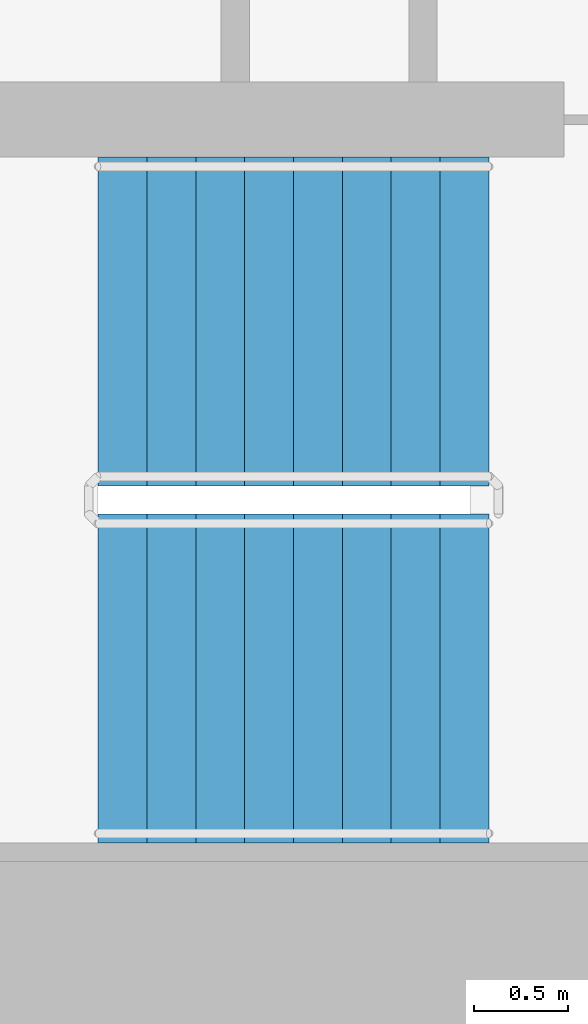
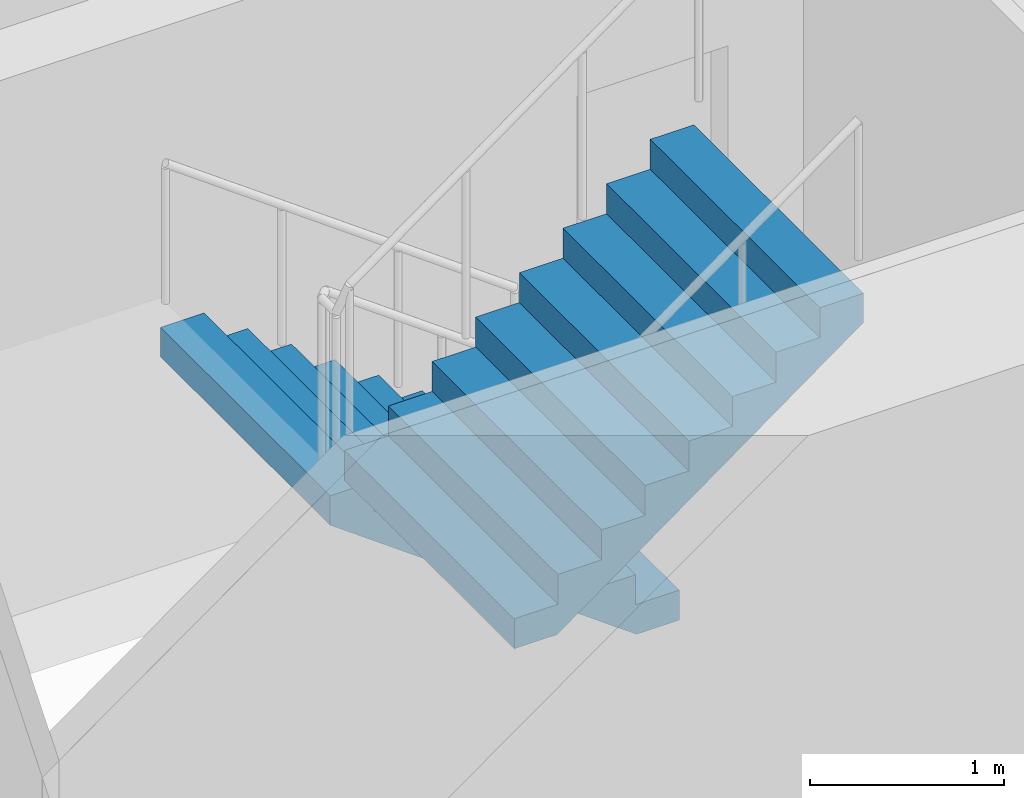
# One storey, part 17 of 22: 2 stair flights, 1 element without a shape of its own.
"""IFC4 building model written with IfcOpenShell, lengths in metres."""

from ifc_helpers import new_model, si_unit, direction, frame, origin, place, context, subcontext, project, spatial, faceted_brep, material, type_object, element, aggregate, save


model = new_model("IFC4")

# Units and contexts
model_context = context("Model", 3, precision=1e-05, world=origin(), true_north=direction((0.0, 1.0)))
body_context = subcontext(model_context, "Body", "Model", "MODEL_VIEW")
ifc_project = project(units=[si_unit("LENGTHUNIT", "METRE"), si_unit("AREAUNIT", "SQUARE_METRE"), si_unit("VOLUMEUNIT", "CUBIC_METRE"), si_unit("PLANEANGLEUNIT", "RADIAN"), si_unit("MASSUNIT", "GRAM", prefix="KILO")], contexts=[model_context])

# Site, building, storey
site_placement = place(None, origin())
site = spatial("IfcSite", under=ifc_project, at=site_placement, CompositionType="ELEMENT")
building_placement = place(site_placement, origin())
building = spatial("IfcBuilding", under=site, at=building_placement, Name="Ipe Terrace Towers", CompositionType="ELEMENT")
storey_placement = place(building_placement, frame((0.0, 0.0, 55.10009765625)))
storey = spatial("IfcBuildingStorey", under=building, at=storey_placement, Name="L14", CompositionType="ELEMENT", Elevation=55.10009765625)

# Stair, stair flights
ifc_material_1 = material(Name="Concrete C30/37", Category="concrete")
stair_type = type_object("IfcStairType", Name="Protected exit stair", PredefinedType="HALF_TURN_STAIR", material=ifc_material_1)
stair_placement = place(storey_placement, origin())
stair = element("IfcStair", 1, at=stair_placement, inside=storey, type_object=stair_type, Name="L14 Exit stair T1-C2", PredefinedType="HALF_TURN_STAIR")
ifc_material_2 = material(Name="Concrete C30/37", Category="concrete")
stair_flight_type = type_object("IfcStairFlightType", Name="Exit stair flight 1750", PredefinedType="STRAIGHT", material=ifc_material_2)
stair_flight_1_placement = place(storey_placement, frame((-45.699951171875, -2.77490234375, 0.0), z_axis=(0.0, 0.0, 1.0), x_axis=(-1.0, 0.0, 0.0)))
stair_flight_1 = element("IfcStairFlight", 2, at=stair_flight_1_placement, type_object=stair_flight_type, Name="T1-ST2 flight 1", NumberOfRisers=9, NumberOfTreads=8, PredefinedType="STRAIGHT", RiserHeight=0.188888889, TreadLength=0.26, context=body_context, shape_type="Brep", body=[
    faceted_brep([(0.255126953125, -0.875, 0.0), (2.080078125, -0.875, 1.325927734375), (2.080078125, -0.875, 1.51123046875), (1.820068359375, -0.875, 1.51123046875), (1.820068359375, -0.875, 1.322265625), (1.56005859375, -0.875, 1.322265625), (1.56005859375, -0.875, 1.13330078125), (1.300048828125, -0.875, 1.13330078125), (1.300048828125, -0.875, 0.9443359375), (1.0400390625, -0.875, 0.9443359375), (1.0400390625, -0.875, 0.755615234375), (0.780029296875, -0.875, 0.755615234375), (0.780029296875, -0.875, 0.566650390625), (0.52001953125, -0.875, 0.566650390625), (0.52001953125, -0.875, 0.377685546875), (0.260009765625, -0.875, 0.377685546875), (0.260009765625, -0.875, 0.18896484375), (0.0, -0.875, 0.18896484375), (0.0, -0.875, 0.0), (0.0, 0.875, 0.0), (0.0, 0.875, 0.18896484375), (0.260009765625, 0.875, 0.18896484375), (0.260009765625, 0.875, 0.377685546875), (0.52001953125, 0.875, 0.377685546875), (0.52001953125, 0.875, 0.566650390625), (0.780029296875, 0.875, 0.566650390625), (0.780029296875, 0.875, 0.755615234375), (1.0400390625, 0.875, 0.755615234375), (1.0400390625, 0.875, 0.9443359375), (1.300048828125, 0.875, 0.9443359375), (1.300048828125, 0.875, 1.13330078125), (1.56005859375, 0.875, 1.13330078125), (1.56005859375, 0.875, 1.322265625), (1.820068359375, 0.875, 1.322265625), (1.820068359375, 0.875, 1.51123046875), (2.080078125, 0.875, 1.51123046875), (2.080078125, 0.875, 1.325927734375), (0.255126953125, 0.875, 0.0), (0.0, -0.300048828125, 0.18896484375), (0.0, -0.1201171875, 0.18896484375), (0.0, -0.06005859375, 0.18896484375), (0.0, -0.030029296875, 0.18896484375), (0.0, -0.010009765625, 0.18896484375), (0.0, 0.0, 0.18896484375), (0.0, 0.010009765625, 0.18896484375), (0.0, 0.030029296875, 0.18896484375), (0.0, 0.06005859375, 0.18896484375), (0.0, 0.1201171875, 0.18896484375), (0.0, 0.300048828125, 0.18896484375), (0.0, 0.300048828125, 0.0), (0.0, 0.1201171875, 0.0), (0.0, 0.06005859375, 0.0), (0.0, 0.030029296875, 0.0), (0.0, 0.010009765625, 0.0), (0.0, 0.0, 0.0), (0.0, -0.010009765625, 0.0), (0.0, -0.030029296875, 0.0), (0.0, -0.06005859375, 0.0), (0.0, -0.1201171875, 0.0), (0.0, -0.300048828125, 0.0), (0.260009765625, -0.300048828125, 0.18896484375), (0.260009765625, -0.1201171875, 0.18896484375), (0.260009765625, -0.06005859375, 0.18896484375), (0.260009765625, -0.030029296875, 0.18896484375), (0.260009765625, -0.010009765625, 0.18896484375), (0.260009765625, 0.0, 0.18896484375), (0.260009765625, 0.010009765625, 0.18896484375), (0.260009765625, 0.030029296875, 0.18896484375), (0.260009765625, 0.06005859375, 0.18896484375), (0.260009765625, 0.1201171875, 0.18896484375), (0.260009765625, 0.300048828125, 0.18896484375), (0.260009765625, -0.300048828125, 0.377685546875), (0.260009765625, -0.1201171875, 0.377685546875), (0.260009765625, -0.06005859375, 0.377685546875), (0.260009765625, -0.030029296875, 0.377685546875), (0.260009765625, -0.010009765625, 0.377685546875), (0.260009765625, 0.0, 0.377685546875), (0.260009765625, 0.010009765625, 0.377685546875), (0.260009765625, 0.030029296875, 0.377685546875), (0.260009765625, 0.06005859375, 0.377685546875), (0.260009765625, 0.1201171875, 0.377685546875), (0.260009765625, 0.300048828125, 0.377685546875), (0.52001953125, -0.300048828125, 0.377685546875), (0.52001953125, -0.1201171875, 0.377685546875), (0.52001953125, -0.06005859375, 0.377685546875), (0.52001953125, -0.030029296875, 0.377685546875), (0.52001953125, -0.010009765625, 0.377685546875), (0.52001953125, 0.0, 0.377685546875), (0.52001953125, 0.010009765625, 0.377685546875), (0.52001953125, 0.030029296875, 0.377685546875), (0.52001953125, 0.06005859375, 0.377685546875), (0.52001953125, 0.1201171875, 0.377685546875), (0.52001953125, 0.300048828125, 0.377685546875), (0.52001953125, -0.300048828125, 0.566650390625), (0.52001953125, -0.1201171875, 0.566650390625), (0.52001953125, -0.06005859375, 0.566650390625), (0.52001953125, -0.030029296875, 0.566650390625), (0.52001953125, -0.010009765625, 0.566650390625), (0.52001953125, 0.0, 0.566650390625), (0.52001953125, 0.010009765625, 0.566650390625), (0.52001953125, 0.030029296875, 0.566650390625), (0.52001953125, 0.06005859375, 0.566650390625), (0.52001953125, 0.1201171875, 0.566650390625), (0.52001953125, 0.300048828125, 0.566650390625), (0.780029296875, -0.300048828125, 0.566650390625), (0.780029296875, -0.1201171875, 0.566650390625), (0.780029296875, -0.06005859375, 0.566650390625), (0.780029296875, -0.030029296875, 0.566650390625), (0.780029296875, -0.010009765625, 0.566650390625), (0.780029296875, 0.0, 0.566650390625), (0.780029296875, 0.010009765625, 0.566650390625), (0.780029296875, 0.030029296875, 0.566650390625), (0.780029296875, 0.06005859375, 0.566650390625), (0.780029296875, 0.1201171875, 0.566650390625), (0.780029296875, 0.300048828125, 0.566650390625), (0.780029296875, -0.300048828125, 0.755615234375), (0.780029296875, -0.1201171875, 0.755615234375), (0.780029296875, -0.06005859375, 0.755615234375), (0.780029296875, -0.030029296875, 0.755615234375), (0.780029296875, -0.010009765625, 0.755615234375), (0.780029296875, 0.0, 0.755615234375), (0.780029296875, 0.010009765625, 0.755615234375), (0.780029296875, 0.030029296875, 0.755615234375), (0.780029296875, 0.06005859375, 0.755615234375), (0.780029296875, 0.1201171875, 0.755615234375), (0.780029296875, 0.300048828125, 0.755615234375), (1.0400390625, -0.300048828125, 0.755615234375), (1.0400390625, -0.1201171875, 0.755615234375), (1.0400390625, -0.06005859375, 0.755615234375), (1.0400390625, -0.030029296875, 0.755615234375), (1.0400390625, -0.010009765625, 0.755615234375), (1.0400390625, 0.0, 0.755615234375), (1.0400390625, 0.010009765625, 0.755615234375), (1.0400390625, 0.030029296875, 0.755615234375), (1.0400390625, 0.06005859375, 0.755615234375), (1.0400390625, 0.1201171875, 0.755615234375), (1.0400390625, 0.300048828125, 0.755615234375), (1.0400390625, -0.300048828125, 0.9443359375), (1.0400390625, -0.1201171875, 0.9443359375), (1.0400390625, -0.06005859375, 0.9443359375), (1.0400390625, -0.030029296875, 0.9443359375), (1.0400390625, -0.010009765625, 0.9443359375), (1.0400390625, 0.0, 0.9443359375), (1.0400390625, 0.010009765625, 0.9443359375), (1.0400390625, 0.030029296875, 0.9443359375), (1.0400390625, 0.06005859375, 0.9443359375), (1.0400390625, 0.1201171875, 0.9443359375), (1.0400390625, 0.300048828125, 0.9443359375), (1.300048828125, -0.300048828125, 0.9443359375), (1.300048828125, -0.1201171875, 0.9443359375), (1.300048828125, -0.06005859375, 0.9443359375), (1.300048828125, -0.030029296875, 0.9443359375), (1.300048828125, -0.010009765625, 0.9443359375), (1.300048828125, 0.0, 0.9443359375), (1.300048828125, 0.010009765625, 0.9443359375), (1.300048828125, 0.030029296875, 0.9443359375), (1.300048828125, 0.06005859375, 0.9443359375), (1.300048828125, 0.1201171875, 0.9443359375), (1.300048828125, 0.300048828125, 0.9443359375), (1.300048828125, -0.300048828125, 1.13330078125), (1.300048828125, -0.1201171875, 1.13330078125), (1.300048828125, -0.06005859375, 1.13330078125), (1.300048828125, -0.030029296875, 1.13330078125), (1.300048828125, -0.010009765625, 1.13330078125), (1.300048828125, 0.0, 1.13330078125), (1.300048828125, 0.010009765625, 1.13330078125), (1.300048828125, 0.030029296875, 1.13330078125), (1.300048828125, 0.06005859375, 1.13330078125), (1.300048828125, 0.1201171875, 1.13330078125), (1.300048828125, 0.300048828125, 1.13330078125), (1.56005859375, -0.300048828125, 1.13330078125), (1.56005859375, -0.1201171875, 1.13330078125), (1.56005859375, -0.06005859375, 1.13330078125), (1.56005859375, -0.030029296875, 1.13330078125), (1.56005859375, -0.010009765625, 1.13330078125), (1.56005859375, 0.0, 1.13330078125), (1.56005859375, 0.010009765625, 1.13330078125), (1.56005859375, 0.030029296875, 1.13330078125), (1.56005859375, 0.06005859375, 1.13330078125), (1.56005859375, 0.1201171875, 1.13330078125), (1.56005859375, 0.300048828125, 1.13330078125), (1.56005859375, -0.300048828125, 1.322265625), (1.56005859375, -0.1201171875, 1.322265625), (1.56005859375, -0.06005859375, 1.322265625), (1.56005859375, -0.030029296875, 1.322265625), (1.56005859375, -0.010009765625, 1.322265625), (1.56005859375, 0.0, 1.322265625), (1.56005859375, 0.010009765625, 1.322265625), (1.56005859375, 0.030029296875, 1.322265625), (1.56005859375, 0.06005859375, 1.322265625), (1.56005859375, 0.1201171875, 1.322265625), (1.56005859375, 0.300048828125, 1.322265625), (1.820068359375, -0.300048828125, 1.322265625), (1.820068359375, -0.1201171875, 1.322265625), (1.820068359375, -0.06005859375, 1.322265625), (1.820068359375, -0.030029296875, 1.322265625), (1.820068359375, -0.010009765625, 1.322265625), (1.820068359375, 0.0, 1.322265625), (1.820068359375, 0.010009765625, 1.322265625), (1.820068359375, 0.030029296875, 1.322265625), (1.820068359375, 0.06005859375, 1.322265625), (1.820068359375, 0.1201171875, 1.322265625), (1.820068359375, 0.300048828125, 1.322265625), (1.820068359375, -0.300048828125, 1.51123046875), (1.820068359375, -0.1201171875, 1.51123046875), (1.820068359375, -0.06005859375, 1.51123046875), (1.820068359375, -0.030029296875, 1.51123046875), (1.820068359375, -0.010009765625, 1.51123046875), (1.820068359375, 0.0, 1.51123046875), (1.820068359375, 0.010009765625, 1.51123046875), (1.820068359375, 0.030029296875, 1.51123046875), (1.820068359375, 0.06005859375, 1.51123046875), (1.820068359375, 0.1201171875, 1.51123046875), (1.820068359375, 0.300048828125, 1.51123046875), (2.080078125, -0.300048828125, 1.51123046875), (2.080078125, -0.1201171875, 1.51123046875), (2.080078125, -0.06005859375, 1.51123046875), (2.080078125, -0.030029296875, 1.51123046875), (2.080078125, -0.010009765625, 1.51123046875), (2.080078125, 0.0, 1.51123046875), (2.080078125, 0.010009765625, 1.51123046875), (2.080078125, 0.030029296875, 1.51123046875), (2.080078125, 0.06005859375, 1.51123046875), (2.080078125, 0.1201171875, 1.51123046875), (2.080078125, 0.300048828125, 1.51123046875), (2.080078125, -0.300048828125, 1.325927734375), (2.080078125, -0.1201171875, 1.325927734375), (2.080078125, -0.06005859375, 1.325927734375), (2.080078125, -0.030029296875, 1.325927734375), (2.080078125, -0.010009765625, 1.325927734375), (2.080078125, 0.0, 1.325927734375), (2.080078125, 0.010009765625, 1.325927734375), (2.080078125, 0.030029296875, 1.325927734375), (2.080078125, 0.06005859375, 1.325927734375), (2.080078125, 0.1201171875, 1.325927734375), (2.080078125, 0.300048828125, 1.325927734375), (0.255126953125, -0.300048828125, 0.0), (0.255126953125, -0.1201171875, 0.0), (0.255126953125, -0.06005859375, 0.0), (0.255126953125, -0.030029296875, 0.0), (0.255126953125, -0.010009765625, 0.0), (0.255126953125, 0.0, 0.0), (0.255126953125, 0.010009765625, 0.0), (0.255126953125, 0.030029296875, 0.0), (0.255126953125, 0.06005859375, 0.0), (0.255126953125, 0.1201171875, 0.0), (0.255126953125, 0.300048828125, 0.0)], [[[0, 1, 2, 3, 4, 5, 6, 7, 8, 9, 10, 11, 12, 13, 14, 15, 16, 17, 18]], [[19, 20, 21, 22, 23, 24, 25, 26, 27, 28, 29, 30, 31, 32, 33, 34, 35, 36, 37]], [[17, 38, 39, 40, 41, 42, 43, 44, 45, 46, 47, 48, 20, 19, 49, 50, 51, 52, 53, 54, 55, 56, 57, 58, 59, 18]], [[16, 60, 61, 62, 63, 64, 65, 66, 67, 68, 69, 70, 21, 20, 48, 47, 46, 45, 44, 43, 42, 41, 40, 39, 38, 17]], [[15, 71, 72, 73, 74, 75, 76, 77, 78, 79, 80, 81, 22, 21, 70, 69, 68, 67, 66, 65, 64, 63, 62, 61, 60, 16]], [[14, 82, 83, 84, 85, 86, 87, 88, 89, 90, 91, 92, 23, 22, 81, 80, 79, 78, 77, 76, 75, 74, 73, 72, 71, 15]], [[13, 93, 94, 95, 96, 97, 98, 99, 100, 101, 102, 103, 24, 23, 92, 91, 90, 89, 88, 87, 86, 85, 84, 83, 82, 14]], [[12, 104, 105, 106, 107, 108, 109, 110, 111, 112, 113, 114, 25, 24, 103, 102, 101, 100, 99, 98, 97, 96, 95, 94, 93, 13]], [[11, 115, 116, 117, 118, 119, 120, 121, 122, 123, 124, 125, 26, 25, 114, 113, 112, 111, 110, 109, 108, 107, 106, 105, 104, 12]], [[10, 126, 127, 128, 129, 130, 131, 132, 133, 134, 135, 136, 27, 26, 125, 124, 123, 122, 121, 120, 119, 118, 117, 116, 115, 11]], [[9, 137, 138, 139, 140, 141, 142, 143, 144, 145, 146, 147, 28, 27, 136, 135, 134, 133, 132, 131, 130, 129, 128, 127, 126, 10]], [[8, 148, 149, 150, 151, 152, 153, 154, 155, 156, 157, 158, 29, 28, 147, 146, 145, 144, 143, 142, 141, 140, 139, 138, 137, 9]], [[7, 159, 160, 161, 162, 163, 164, 165, 166, 167, 168, 169, 30, 29, 158, 157, 156, 155, 154, 153, 152, 151, 150, 149, 148, 8]], [[6, 170, 171, 172, 173, 174, 175, 176, 177, 178, 179, 180, 31, 30, 169, 168, 167, 166, 165, 164, 163, 162, 161, 160, 159, 7]], [[5, 181, 182, 183, 184, 185, 186, 187, 188, 189, 190, 191, 32, 31, 180, 179, 178, 177, 176, 175, 174, 173, 172, 171, 170, 6]], [[4, 192, 193, 194, 195, 196, 197, 198, 199, 200, 201, 202, 33, 32, 191, 190, 189, 188, 187, 186, 185, 184, 183, 182, 181, 5]], [[3, 203, 204, 205, 206, 207, 208, 209, 210, 211, 212, 213, 34, 33, 202, 201, 200, 199, 198, 197, 196, 195, 194, 193, 192, 4]], [[2, 214, 215, 216, 217, 218, 219, 220, 221, 222, 223, 224, 35, 34, 213, 212, 211, 210, 209, 208, 207, 206, 205, 204, 203, 3]], [[1, 225, 226, 227, 228, 229, 230, 231, 232, 233, 234, 235, 36, 35, 224, 223, 222, 221, 220, 219, 218, 217, 216, 215, 214, 2]], [[0, 236, 237, 238, 239, 240, 241, 242, 243, 244, 245, 246, 37, 36, 235, 234, 233, 232, 231, 230, 229, 228, 227, 226, 225, 1]], [[18, 59, 58, 57, 56, 55, 54, 53, 52, 51, 50, 49, 19, 37, 246, 245, 244, 243, 242, 241, 240, 239, 238, 237, 236, 0]]]),
])
stair_flight_2_placement = place(storey_placement, frame((-47.780029296875, -4.675048828125, 1.699951171875), z_axis=(0.0, 0.0, 1.0), x_axis=(1.0, 0.0, 0.0)))
stair_flight_2 = element("IfcStairFlight", 3, at=stair_flight_2_placement, type_object=stair_flight_type, Name="T1-ST2 flight 2", NumberOfRisers=9, NumberOfTreads=8, PredefinedType="STRAIGHT", RiserHeight=0.188888889, TreadLength=0.26, context=body_context, shape_type="Brep", body=[
    faceted_brep([(0.255126953125, -0.875, 0.0), (2.080078125, -0.875, 1.325927734375), (2.080078125, -0.875, 1.51123046875), (1.820068359375, -0.875, 1.51123046875), (1.820068359375, -0.875, 1.322265625), (1.56005859375, -0.875, 1.322265625), (1.56005859375, -0.875, 1.13330078125), (1.300048828125, -0.875, 1.13330078125), (1.300048828125, -0.875, 0.9443359375), (1.0400390625, -0.875, 0.9443359375), (1.0400390625, -0.875, 0.755615234375), (0.780029296875, -0.875, 0.755615234375), (0.780029296875, -0.875, 0.566650390625), (0.52001953125, -0.875, 0.566650390625), (0.52001953125, -0.875, 0.377685546875), (0.260009765625, -0.875, 0.377685546875), (0.260009765625, -0.875, 0.18896484375), (0.0, -0.875, 0.18896484375), (0.0, -0.875, 0.0), (0.0, 0.875, 0.0), (0.0, 0.875, 0.18896484375), (0.260009765625, 0.875, 0.18896484375), (0.260009765625, 0.875, 0.377685546875), (0.52001953125, 0.875, 0.377685546875), (0.52001953125, 0.875, 0.566650390625), (0.780029296875, 0.875, 0.566650390625), (0.780029296875, 0.875, 0.755615234375), (1.0400390625, 0.875, 0.755615234375), (1.0400390625, 0.875, 0.9443359375), (1.300048828125, 0.875, 0.9443359375), (1.300048828125, 0.875, 1.13330078125), (1.56005859375, 0.875, 1.13330078125), (1.56005859375, 0.875, 1.322265625), (1.820068359375, 0.875, 1.322265625), (1.820068359375, 0.875, 1.51123046875), (2.080078125, 0.875, 1.51123046875), (2.080078125, 0.875, 1.325927734375), (0.255126953125, 0.875, 0.0), (0.0, -0.300048828125, 0.18896484375), (0.0, -0.1201171875, 0.18896484375), (0.0, -0.06005859375, 0.18896484375), (0.0, -0.030029296875, 0.18896484375), (0.0, -0.010009765625, 0.18896484375), (0.0, 0.0, 0.18896484375), (0.0, 0.010009765625, 0.18896484375), (0.0, 0.030029296875, 0.18896484375), (0.0, 0.06005859375, 0.18896484375), (0.0, 0.1201171875, 0.18896484375), (0.0, 0.300048828125, 0.18896484375), (0.0, 0.300048828125, 0.0), (0.0, 0.1201171875, 0.0), (0.0, 0.06005859375, 0.0), (0.0, 0.030029296875, 0.0), (0.0, 0.010009765625, 0.0), (0.0, 0.0, 0.0), (0.0, -0.010009765625, 0.0), (0.0, -0.030029296875, 0.0), (0.0, -0.06005859375, 0.0), (0.0, -0.1201171875, 0.0), (0.0, -0.300048828125, 0.0), (0.260009765625, -0.300048828125, 0.18896484375), (0.260009765625, -0.1201171875, 0.18896484375), (0.260009765625, -0.06005859375, 0.18896484375), (0.260009765625, -0.030029296875, 0.18896484375), (0.260009765625, -0.010009765625, 0.18896484375), (0.260009765625, 0.0, 0.18896484375), (0.260009765625, 0.010009765625, 0.18896484375), (0.260009765625, 0.030029296875, 0.18896484375), (0.260009765625, 0.06005859375, 0.18896484375), (0.260009765625, 0.1201171875, 0.18896484375), (0.260009765625, 0.300048828125, 0.18896484375), (0.260009765625, -0.300048828125, 0.377685546875), (0.260009765625, -0.1201171875, 0.377685546875), (0.260009765625, -0.06005859375, 0.377685546875), (0.260009765625, -0.030029296875, 0.377685546875), (0.260009765625, -0.010009765625, 0.377685546875), (0.260009765625, 0.0, 0.377685546875), (0.260009765625, 0.010009765625, 0.377685546875), (0.260009765625, 0.030029296875, 0.377685546875), (0.260009765625, 0.06005859375, 0.377685546875), (0.260009765625, 0.1201171875, 0.377685546875), (0.260009765625, 0.300048828125, 0.377685546875), (0.52001953125, -0.300048828125, 0.377685546875), (0.52001953125, -0.1201171875, 0.377685546875), (0.52001953125, -0.06005859375, 0.377685546875), (0.52001953125, -0.030029296875, 0.377685546875), (0.52001953125, -0.010009765625, 0.377685546875), (0.52001953125, 0.0, 0.377685546875), (0.52001953125, 0.010009765625, 0.377685546875), (0.52001953125, 0.030029296875, 0.377685546875), (0.52001953125, 0.06005859375, 0.377685546875), (0.52001953125, 0.1201171875, 0.377685546875), (0.52001953125, 0.300048828125, 0.377685546875), (0.52001953125, -0.300048828125, 0.566650390625), (0.52001953125, -0.1201171875, 0.566650390625), (0.52001953125, -0.06005859375, 0.566650390625), (0.52001953125, -0.030029296875, 0.566650390625), (0.52001953125, -0.010009765625, 0.566650390625), (0.52001953125, 0.0, 0.566650390625), (0.52001953125, 0.010009765625, 0.566650390625), (0.52001953125, 0.030029296875, 0.566650390625), (0.52001953125, 0.06005859375, 0.566650390625), (0.52001953125, 0.1201171875, 0.566650390625), (0.52001953125, 0.300048828125, 0.566650390625), (0.780029296875, -0.300048828125, 0.566650390625), (0.780029296875, -0.1201171875, 0.566650390625), (0.780029296875, -0.06005859375, 0.566650390625), (0.780029296875, -0.030029296875, 0.566650390625), (0.780029296875, -0.010009765625, 0.566650390625), (0.780029296875, 0.0, 0.566650390625), (0.780029296875, 0.010009765625, 0.566650390625), (0.780029296875, 0.030029296875, 0.566650390625), (0.780029296875, 0.06005859375, 0.566650390625), (0.780029296875, 0.1201171875, 0.566650390625), (0.780029296875, 0.300048828125, 0.566650390625), (0.780029296875, -0.300048828125, 0.755615234375), (0.780029296875, -0.1201171875, 0.755615234375), (0.780029296875, -0.06005859375, 0.755615234375), (0.780029296875, -0.030029296875, 0.755615234375), (0.780029296875, -0.010009765625, 0.755615234375), (0.780029296875, 0.0, 0.755615234375), (0.780029296875, 0.010009765625, 0.755615234375), (0.780029296875, 0.030029296875, 0.755615234375), (0.780029296875, 0.06005859375, 0.755615234375), (0.780029296875, 0.1201171875, 0.755615234375), (0.780029296875, 0.300048828125, 0.755615234375), (1.0400390625, -0.300048828125, 0.755615234375), (1.0400390625, -0.1201171875, 0.755615234375), (1.0400390625, -0.06005859375, 0.755615234375), (1.0400390625, -0.030029296875, 0.755615234375), (1.0400390625, -0.010009765625, 0.755615234375), (1.0400390625, 0.0, 0.755615234375), (1.0400390625, 0.010009765625, 0.755615234375), (1.0400390625, 0.030029296875, 0.755615234375), (1.0400390625, 0.06005859375, 0.755615234375), (1.0400390625, 0.1201171875, 0.755615234375), (1.0400390625, 0.300048828125, 0.755615234375), (1.0400390625, -0.300048828125, 0.9443359375), (1.0400390625, -0.1201171875, 0.9443359375), (1.0400390625, -0.06005859375, 0.9443359375), (1.0400390625, -0.030029296875, 0.9443359375), (1.0400390625, -0.010009765625, 0.9443359375), (1.0400390625, 0.0, 0.9443359375), (1.0400390625, 0.010009765625, 0.9443359375), (1.0400390625, 0.030029296875, 0.9443359375), (1.0400390625, 0.06005859375, 0.9443359375), (1.0400390625, 0.1201171875, 0.9443359375), (1.0400390625, 0.300048828125, 0.9443359375), (1.300048828125, -0.300048828125, 0.9443359375), (1.300048828125, -0.1201171875, 0.9443359375), (1.300048828125, -0.06005859375, 0.9443359375), (1.300048828125, -0.030029296875, 0.9443359375), (1.300048828125, -0.010009765625, 0.9443359375), (1.300048828125, 0.0, 0.9443359375), (1.300048828125, 0.010009765625, 0.9443359375), (1.300048828125, 0.030029296875, 0.9443359375), (1.300048828125, 0.06005859375, 0.9443359375), (1.300048828125, 0.1201171875, 0.9443359375), (1.300048828125, 0.300048828125, 0.9443359375), (1.300048828125, -0.300048828125, 1.13330078125), (1.300048828125, -0.1201171875, 1.13330078125), (1.300048828125, -0.06005859375, 1.13330078125), (1.300048828125, -0.030029296875, 1.13330078125), (1.300048828125, -0.010009765625, 1.13330078125), (1.300048828125, 0.0, 1.13330078125), (1.300048828125, 0.010009765625, 1.13330078125), (1.300048828125, 0.030029296875, 1.13330078125), (1.300048828125, 0.06005859375, 1.13330078125), (1.300048828125, 0.1201171875, 1.13330078125), (1.300048828125, 0.300048828125, 1.13330078125), (1.56005859375, -0.300048828125, 1.13330078125), (1.56005859375, -0.1201171875, 1.13330078125), (1.56005859375, -0.06005859375, 1.13330078125), (1.56005859375, -0.030029296875, 1.13330078125), (1.56005859375, -0.010009765625, 1.13330078125), (1.56005859375, 0.0, 1.13330078125), (1.56005859375, 0.010009765625, 1.13330078125), (1.56005859375, 0.030029296875, 1.13330078125), (1.56005859375, 0.06005859375, 1.13330078125), (1.56005859375, 0.1201171875, 1.13330078125), (1.56005859375, 0.300048828125, 1.13330078125), (1.56005859375, -0.300048828125, 1.322265625), (1.56005859375, -0.1201171875, 1.322265625), (1.56005859375, -0.06005859375, 1.322265625), (1.56005859375, -0.030029296875, 1.322265625), (1.56005859375, -0.010009765625, 1.322265625), (1.56005859375, 0.0, 1.322265625), (1.56005859375, 0.010009765625, 1.322265625), (1.56005859375, 0.030029296875, 1.322265625), (1.56005859375, 0.06005859375, 1.322265625), (1.56005859375, 0.1201171875, 1.322265625), (1.56005859375, 0.300048828125, 1.322265625), (1.820068359375, -0.300048828125, 1.322265625), (1.820068359375, -0.1201171875, 1.322265625), (1.820068359375, -0.06005859375, 1.322265625), (1.820068359375, -0.030029296875, 1.322265625), (1.820068359375, -0.010009765625, 1.322265625), (1.820068359375, 0.0, 1.322265625), (1.820068359375, 0.010009765625, 1.322265625), (1.820068359375, 0.030029296875, 1.322265625), (1.820068359375, 0.06005859375, 1.322265625), (1.820068359375, 0.1201171875, 1.322265625), (1.820068359375, 0.300048828125, 1.322265625), (1.820068359375, -0.300048828125, 1.51123046875), (1.820068359375, -0.1201171875, 1.51123046875), (1.820068359375, -0.06005859375, 1.51123046875), (1.820068359375, -0.030029296875, 1.51123046875), (1.820068359375, -0.010009765625, 1.51123046875), (1.820068359375, 0.0, 1.51123046875), (1.820068359375, 0.010009765625, 1.51123046875), (1.820068359375, 0.030029296875, 1.51123046875), (1.820068359375, 0.06005859375, 1.51123046875), (1.820068359375, 0.1201171875, 1.51123046875), (1.820068359375, 0.300048828125, 1.51123046875), (2.080078125, -0.300048828125, 1.51123046875), (2.080078125, -0.1201171875, 1.51123046875), (2.080078125, -0.06005859375, 1.51123046875), (2.080078125, -0.030029296875, 1.51123046875), (2.080078125, -0.010009765625, 1.51123046875), (2.080078125, 0.0, 1.51123046875), (2.080078125, 0.010009765625, 1.51123046875), (2.080078125, 0.030029296875, 1.51123046875), (2.080078125, 0.06005859375, 1.51123046875), (2.080078125, 0.1201171875, 1.51123046875), (2.080078125, 0.300048828125, 1.51123046875), (2.080078125, -0.300048828125, 1.325927734375), (2.080078125, -0.1201171875, 1.325927734375), (2.080078125, -0.06005859375, 1.325927734375), (2.080078125, -0.030029296875, 1.325927734375), (2.080078125, -0.010009765625, 1.325927734375), (2.080078125, 0.0, 1.325927734375), (2.080078125, 0.010009765625, 1.325927734375), (2.080078125, 0.030029296875, 1.325927734375), (2.080078125, 0.06005859375, 1.325927734375), (2.080078125, 0.1201171875, 1.325927734375), (2.080078125, 0.300048828125, 1.325927734375), (0.255126953125, -0.300048828125, 0.0), (0.255126953125, -0.1201171875, 0.0), (0.255126953125, -0.06005859375, 0.0), (0.255126953125, -0.030029296875, 0.0), (0.255126953125, -0.010009765625, 0.0), (0.255126953125, 0.0, 0.0), (0.255126953125, 0.010009765625, 0.0), (0.255126953125, 0.030029296875, 0.0), (0.255126953125, 0.06005859375, 0.0), (0.255126953125, 0.1201171875, 0.0), (0.255126953125, 0.300048828125, 0.0)], [[[0, 1, 2, 3, 4, 5, 6, 7, 8, 9, 10, 11, 12, 13, 14, 15, 16, 17, 18]], [[19, 20, 21, 22, 23, 24, 25, 26, 27, 28, 29, 30, 31, 32, 33, 34, 35, 36, 37]], [[17, 38, 39, 40, 41, 42, 43, 44, 45, 46, 47, 48, 20, 19, 49, 50, 51, 52, 53, 54, 55, 56, 57, 58, 59, 18]], [[16, 60, 61, 62, 63, 64, 65, 66, 67, 68, 69, 70, 21, 20, 48, 47, 46, 45, 44, 43, 42, 41, 40, 39, 38, 17]], [[15, 71, 72, 73, 74, 75, 76, 77, 78, 79, 80, 81, 22, 21, 70, 69, 68, 67, 66, 65, 64, 63, 62, 61, 60, 16]], [[14, 82, 83, 84, 85, 86, 87, 88, 89, 90, 91, 92, 23, 22, 81, 80, 79, 78, 77, 76, 75, 74, 73, 72, 71, 15]], [[13, 93, 94, 95, 96, 97, 98, 99, 100, 101, 102, 103, 24, 23, 92, 91, 90, 89, 88, 87, 86, 85, 84, 83, 82, 14]], [[12, 104, 105, 106, 107, 108, 109, 110, 111, 112, 113, 114, 25, 24, 103, 102, 101, 100, 99, 98, 97, 96, 95, 94, 93, 13]], [[11, 115, 116, 117, 118, 119, 120, 121, 122, 123, 124, 125, 26, 25, 114, 113, 112, 111, 110, 109, 108, 107, 106, 105, 104, 12]], [[10, 126, 127, 128, 129, 130, 131, 132, 133, 134, 135, 136, 27, 26, 125, 124, 123, 122, 121, 120, 119, 118, 117, 116, 115, 11]], [[9, 137, 138, 139, 140, 141, 142, 143, 144, 145, 146, 147, 28, 27, 136, 135, 134, 133, 132, 131, 130, 129, 128, 127, 126, 10]], [[8, 148, 149, 150, 151, 152, 153, 154, 155, 156, 157, 158, 29, 28, 147, 146, 145, 144, 143, 142, 141, 140, 139, 138, 137, 9]], [[7, 159, 160, 161, 162, 163, 164, 165, 166, 167, 168, 169, 30, 29, 158, 157, 156, 155, 154, 153, 152, 151, 150, 149, 148, 8]], [[6, 170, 171, 172, 173, 174, 175, 176, 177, 178, 179, 180, 31, 30, 169, 168, 167, 166, 165, 164, 163, 162, 161, 160, 159, 7]], [[5, 181, 182, 183, 184, 185, 186, 187, 188, 189, 190, 191, 32, 31, 180, 179, 178, 177, 176, 175, 174, 173, 172, 171, 170, 6]], [[4, 192, 193, 194, 195, 196, 197, 198, 199, 200, 201, 202, 33, 32, 191, 190, 189, 188, 187, 186, 185, 184, 183, 182, 181, 5]], [[3, 203, 204, 205, 206, 207, 208, 209, 210, 211, 212, 213, 34, 33, 202, 201, 200, 199, 198, 197, 196, 195, 194, 193, 192, 4]], [[2, 214, 215, 216, 217, 218, 219, 220, 221, 222, 223, 224, 35, 34, 213, 212, 211, 210, 209, 208, 207, 206, 205, 204, 203, 3]], [[1, 225, 226, 227, 228, 229, 230, 231, 232, 233, 234, 235, 36, 35, 224, 223, 222, 221, 220, 219, 218, 217, 216, 215, 214, 2]], [[0, 236, 237, 238, 239, 240, 241, 242, 243, 244, 245, 246, 37, 36, 235, 234, 233, 232, 231, 230, 229, 228, 227, 226, 225, 1]], [[18, 59, 58, 57, 56, 55, 54, 53, 52, 51, 50, 49, 19, 37, 246, 245, 244, 243, 242, 241, 240, 239, 238, 237, 236, 0]]]),
])
aggregate(stair, [stair_flight_1, stair_flight_2])

save(model, "model.ifc")
